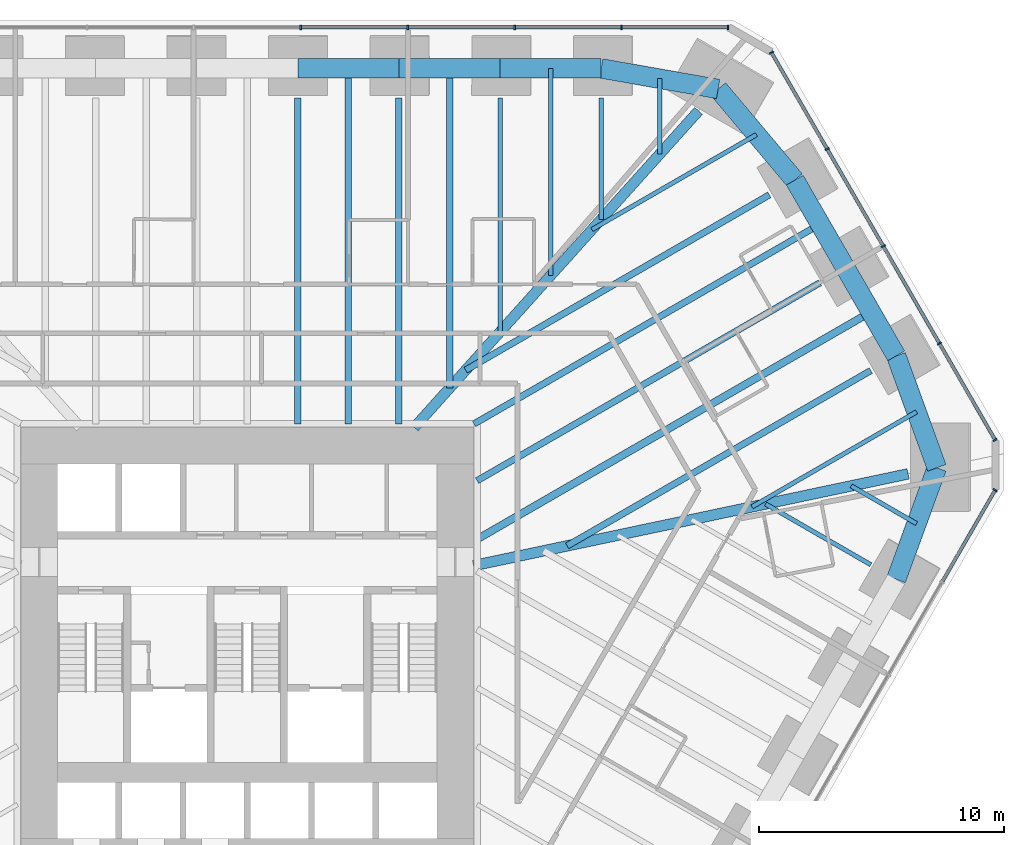
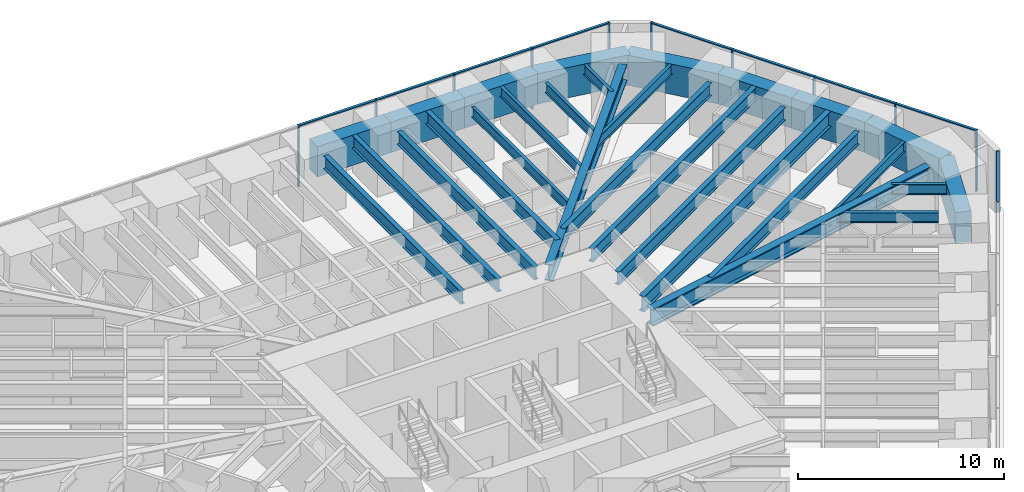
# One storey, part 9 of 17: 28 beams, 20 members, 3 elements without a shape of their own.
"""IFC4 building model written with IfcOpenShell, lengths in metres."""

from ifc_helpers import new_model, si_unit, direction, frame, origin, origin_2d, place, context, subcontext, project, spatial, rectangle, i_section, extrude, material, material_profile, profile_set, type_object, element, aggregate, save


model = new_model("IFC4")

# Units and contexts
model_context = context("Model", 3, precision=1e-05, world=origin(), true_north=direction((0.0, 1.0)))
body_context = subcontext(model_context, "Body", "Model", "MODEL_VIEW")
ifc_project = project(units=[si_unit("LENGTHUNIT", "METRE"), si_unit("AREAUNIT", "SQUARE_METRE"), si_unit("VOLUMEUNIT", "CUBIC_METRE"), si_unit("PLANEANGLEUNIT", "RADIAN"), si_unit("MASSUNIT", "GRAM", prefix="KILO")], contexts=[model_context])

# Site, building, storey
site_placement = place(None, origin())
site = spatial("IfcSite", under=ifc_project, at=site_placement, CompositionType="ELEMENT")
building_placement = place(site_placement, origin())
building = spatial("IfcBuilding", under=site, at=building_placement, Name="Sandreach Pilgrim Tower", CompositionType="ELEMENT")
storey_placement = place(building_placement, frame((0.0, 0.0, 64.800048828125)))
storey = spatial("IfcBuildingStorey", under=building, at=storey_placement, Name="L15", CompositionType="ELEMENT", Elevation=64.800048828125)

# Curtain wall, members
ifc_material_1 = material(Name="Aluminium framed curtain wall", Category="aluminium")
curtain_wall_type = type_object("IfcCurtainWallType", Name="Hostel tower curtain wall", PredefinedType="NOTDEFINED", material=ifc_material_1)
curtain_wall_1_placement = place(storey_placement, origin())
curtain_wall_1 = element("IfcCurtainWall", 1, at=curtain_wall_1_placement, inside=storey, type_object=curtain_wall_type, Name="CW-1 L15 N", PredefinedType="NOTDEFINED")
ifc_material_2 = material(Name="Aluminium extrusion", Category="aluminium")
ifc_material_profile_1 = material_profile(ifc_material_2, rectangle(XDim=0.06494140625, YDim=0.179931640625, at=origin_2d()), Name="CW-1M 65X180")
ifc_profile_set_1 = profile_set([ifc_material_profile_1], Name="Aluminium extrusion")
member_type_1 = type_object("IfcMemberType", Name="CW-1 mullion", PredefinedType="MULLION", material=ifc_profile_set_1)
member_1_placement = place(storey_placement, frame((2.185791015625, 23.94873046875, 0.0), z_axis=(0.0, 0.0, 1.0), x_axis=(1.0, 0.0, 0.0)))
member_1 = element("IfcMember", 2, at=member_1_placement, type_object=member_type_1, Name="CW-1 mullion 6", PredefinedType="MULLION", context=body_context, shape_type="SweptSolid", body=[
    extrude(rectangle(XDim=0.06494140625, YDim=0.179931640625, at=origin_2d()), origin(), (0.0, 0.0, 1.0), 3.639892578125),
])
member_2_placement = place(storey_placement, frame((6.557373046875, 23.94873046875, 0.0), z_axis=(0.0, 0.0, 1.0), x_axis=(1.0, 0.0, 0.0)))
member_2 = element("IfcMember", 3, at=member_2_placement, type_object=member_type_1, Name="CW-1 mullion 7", PredefinedType="MULLION", context=body_context, shape_type="SweptSolid", body=[
    extrude(rectangle(XDim=0.06494140625, YDim=0.179931640625, at=origin_2d()), origin(), (0.0, 0.0, 1.0), 3.639892578125),
])
member_3_placement = place(storey_placement, frame((10.928955078125, 23.94873046875, 0.0), z_axis=(0.0, 0.0, 1.0), x_axis=(1.0, 0.0, 0.0)))
member_3 = element("IfcMember", 4, at=member_3_placement, type_object=member_type_1, Name="CW-1 mullion 8", PredefinedType="MULLION", context=body_context, shape_type="SweptSolid", body=[
    extrude(rectangle(XDim=0.06494140625, YDim=0.179931640625, at=origin_2d()), origin(), (0.0, 0.0, 1.0), 3.639892578125),
])
member_4_placement = place(storey_placement, frame((15.300537109375, 23.94873046875, 0.0), z_axis=(0.0, 0.0, 1.0), x_axis=(1.0, 0.0, 0.0)))
member_4 = element("IfcMember", 5, at=member_4_placement, type_object=member_type_1, Name="CW-1 mullion 9", PredefinedType="MULLION", context=body_context, shape_type="SweptSolid", body=[
    extrude(rectangle(XDim=0.06494140625, YDim=0.179931640625, at=origin_2d()), origin(), (0.0, 0.0, 1.0), 3.639892578125),
])
member_5_placement = place(storey_placement, frame((19.6396484375, 23.94873046875, 0.0), z_axis=(0.0, 0.0, 1.0), x_axis=(1.0, 0.0, 0.0)))
member_5 = element("IfcMember", 6, at=member_5_placement, type_object=member_type_1, Name="CW-1 mullion 10", PredefinedType="MULLION", context=body_context, shape_type="SweptSolid", body=[
    extrude(rectangle(XDim=0.06494140625, YDim=0.179931640625, at=origin_2d()), origin(), (0.0, 0.0, 1.0), 3.639892578125),
])

curtain_wall_2_placement = place(storey_placement, origin())
curtain_wall_2 = element("IfcCurtainWall", 7, at=curtain_wall_2_placement, inside=storey, type_object=curtain_wall_type, Name="CW-1 L15 NE", PredefinedType="NOTDEFINED")
member_6_placement = place(storey_placement, frame((21.42041015625, 22.920654296875, 0.0), z_axis=(0.0, 0.0, 1.0), x_axis=(0.5, -0.866025403784, 0.0)))
member_6 = element("IfcMember", 8, at=member_6_placement, type_object=member_type_1, Name="CW-1 mullion 1", PredefinedType="MULLION", context=body_context, shape_type="SweptSolid", body=[
    extrude(rectangle(XDim=0.06494140625, YDim=0.179931640625, at=origin_2d()), origin(), (0.0, 0.0, 1.0), 3.639892578125),
])
member_7_placement = place(storey_placement, frame((23.697265625, 18.97705078125, 0.0), z_axis=(0.0, 0.0, 1.0), x_axis=(0.5, -0.866025403784, 0.0)))
member_7 = element("IfcMember", 9, at=member_7_placement, type_object=member_type_1, Name="CW-1 mullion 2", PredefinedType="MULLION", context=body_context, shape_type="SweptSolid", body=[
    extrude(rectangle(XDim=0.06494140625, YDim=0.179931640625, at=origin_2d()), origin(), (0.0, 0.0, 1.0), 3.639892578125),
])
member_8_placement = place(storey_placement, frame((25.990234375, 15.00537109375, 0.0), z_axis=(0.0, 0.0, 1.0), x_axis=(0.5, -0.866025403784, 0.0)))
member_8 = element("IfcMember", 10, at=member_8_placement, type_object=member_type_1, Name="CW-1 mullion 3", PredefinedType="MULLION", context=body_context, shape_type="SweptSolid", body=[
    extrude(rectangle(XDim=0.06494140625, YDim=0.179931640625, at=origin_2d()), origin(), (0.0, 0.0, 1.0), 3.639892578125),
])
member_9_placement = place(storey_placement, frame((28.283203125, 11.03369140625, 0.0), z_axis=(0.0, 0.0, 1.0), x_axis=(0.5, -0.866025403784, 0.0)))
member_9 = element("IfcMember", 11, at=member_9_placement, type_object=member_type_1, Name="CW-1 mullion 4", PredefinedType="MULLION", context=body_context, shape_type="SweptSolid", body=[
    extrude(rectangle(XDim=0.06494140625, YDim=0.179931640625, at=origin_2d()), origin(), (0.0, 0.0, 1.0), 3.639892578125),
])
member_10_placement = place(storey_placement, frame((30.56005859375, 7.09033203125, 0.0), z_axis=(0.0, 0.0, 1.0), x_axis=(0.5, -0.866025403784, 0.0)))
member_10 = element("IfcMember", 12, at=member_10_placement, type_object=member_type_1, Name="CW-1 mullion 5", PredefinedType="MULLION", context=body_context, shape_type="SweptSolid", body=[
    extrude(rectangle(XDim=0.06494140625, YDim=0.179931640625, at=origin_2d()), origin(), (0.0, 0.0, 1.0), 3.639892578125),
])

# Curtain wall, member
curtain_wall_3_placement = place(storey_placement, origin())
curtain_wall_3 = element("IfcCurtainWall", 13, at=curtain_wall_3_placement, inside=storey, type_object=curtain_wall_type, Name="CW-1 L15 SE", PredefinedType="NOTDEFINED")
member_11_placement = place(storey_placement, frame((30.56005859375, 5.033935546875, 0.0), z_axis=(0.0, 0.0, 1.0), x_axis=(-0.5, -0.866025403784, 0.0)))
member_11 = element("IfcMember", 14, at=member_11_placement, type_object=member_type_1, Name="CW-1 mullion 1", PredefinedType="MULLION", context=body_context, shape_type="SweptSolid", body=[
    extrude(rectangle(XDim=0.06494140625, YDim=0.179931640625, at=origin_2d()), origin(), (0.0, 0.0, 1.0), 3.639892578125),
])

# Member
ifc_material_3 = material(Name="Aluminium extrusion", Category="aluminium")
ifc_material_profile_2 = material_profile(ifc_material_3, rectangle(XDim=0.139892578125, YDim=0.070068359375, at=origin_2d()), Name="CW-1T 140X70")
ifc_profile_set_2 = profile_set([ifc_material_profile_2], Name="Aluminium extrusion")
member_type_2 = type_object("IfcMemberType", Name="CW-1 transom", PredefinedType="USERDEFINED", material=ifc_profile_set_2)
member_12_placement = place(storey_placement, frame((2.21826171875, 23.94873046875, 3.60498046875), z_axis=(1.0, 0.0, 0.0), x_axis=(0.0, 1.0, 0.0)))
member_12 = element("IfcMember", 15, at=member_12_placement, type_object=member_type_2, Name="CW-1 head transom 6", ObjectType="TRANSOM", PredefinedType="USERDEFINED", context=body_context, shape_type="SweptSolid", body=[
    extrude(rectangle(XDim=0.139892578125, YDim=0.070068359375, at=origin_2d()), origin(), (0.0, 0.0, 1.0), 4.306640625),
])

member_13_placement = place(storey_placement, frame((6.58984375, 23.94873046875, 3.60498046875), z_axis=(1.0, 0.0, 0.0), x_axis=(0.0, 1.0, 0.0)))
member_13 = element("IfcMember", 16, at=member_13_placement, type_object=member_type_2, Name="CW-1 head transom 7", ObjectType="TRANSOM", PredefinedType="USERDEFINED", context=body_context, shape_type="SweptSolid", body=[
    extrude(rectangle(XDim=0.139892578125, YDim=0.070068359375, at=origin_2d()), origin(), (0.0, 0.0, 1.0), 4.306640625),
])

member_14_placement = place(storey_placement, frame((10.96142578125, 23.94873046875, 3.60498046875), z_axis=(1.0, 0.0, 0.0), x_axis=(0.0, 1.0, 0.0)))
member_14 = element("IfcMember", 17, at=member_14_placement, type_object=member_type_2, Name="CW-1 head transom 8", ObjectType="TRANSOM", PredefinedType="USERDEFINED", context=body_context, shape_type="SweptSolid", body=[
    extrude(rectangle(XDim=0.139892578125, YDim=0.070068359375, at=origin_2d()), origin(), (0.0, 0.0, 1.0), 4.306640625),
])

member_15_placement = place(storey_placement, frame((15.3330078125, 23.94873046875, 3.60498046875), z_axis=(1.0, 0.0, 0.0), x_axis=(0.0, 1.0, 0.0)))
member_15 = element("IfcMember", 18, at=member_15_placement, type_object=member_type_2, Name="CW-1 head transom 9", ObjectType="TRANSOM", PredefinedType="USERDEFINED", context=body_context, shape_type="SweptSolid", body=[
    extrude(rectangle(XDim=0.139892578125, YDim=0.070068359375, at=origin_2d()), origin(), (0.0, 0.0, 1.0), 4.274169921875),
])

aggregate(curtain_wall_1, [member_1, member_2, member_3, member_4, member_5, member_12, member_13, member_14, member_15])

member_16_placement = place(storey_placement, frame((21.4365234375, 22.892333984375, 3.60498046875), z_axis=(0.500017500808, -0.866015299452, 0.0), x_axis=(0.866015299452, 0.500017500808, 0.0)))
member_16 = element("IfcMember", 19, at=member_16_placement, type_object=member_type_2, Name="CW-1 head transom 1", ObjectType="TRANSOM", PredefinedType="USERDEFINED", context=body_context, shape_type="SweptSolid", body=[
    extrude(rectangle(XDim=0.139892578125, YDim=0.070068359375, at=origin_2d()), origin(), (0.0, 0.0, 1.0), 4.488525390625),
])

member_17_placement = place(storey_placement, frame((23.71337890625, 18.948974609375, 3.60498046875), z_axis=(0.500001366228, -0.866024614991, 0.0), x_axis=(0.866024614991, 0.500001366228, 0.0)))
member_17 = element("IfcMember", 20, at=member_17_placement, type_object=member_type_2, Name="CW-1 head transom 2", ObjectType="TRANSOM", PredefinedType="USERDEFINED", context=body_context, shape_type="SweptSolid", body=[
    extrude(rectangle(XDim=0.139892578125, YDim=0.070068359375, at=origin_2d()), origin(), (0.0, 0.0, 1.0), 4.52099609375),
])

member_18_placement = place(storey_placement, frame((26.00634765625, 14.977294921875, 3.60498046875), z_axis=(0.500001366228, -0.866024614991, 0.0), x_axis=(0.866024614991, 0.500001366228, 0.0)))
member_18 = element("IfcMember", 21, at=member_18_placement, type_object=member_type_2, Name="CW-1 head transom 3", ObjectType="TRANSOM", PredefinedType="USERDEFINED", context=body_context, shape_type="SweptSolid", body=[
    extrude(rectangle(XDim=0.139892578125, YDim=0.070068359375, at=origin_2d()), origin(), (0.0, 0.0, 1.0), 4.52099609375),
])

member_19_placement = place(storey_placement, frame((28.299560546875, 11.005615234375, 3.60498046875), z_axis=(0.499976706761, -0.866038851724, 0.0), x_axis=(0.866038851724, 0.499976706761, 0.0)))
member_19 = element("IfcMember", 22, at=member_19_placement, type_object=member_type_2, Name="CW-1 head transom 4", ObjectType="TRANSOM", PredefinedType="USERDEFINED", context=body_context, shape_type="SweptSolid", body=[
    extrude(rectangle(XDim=0.139892578125, YDim=0.070068359375, at=origin_2d()), origin(), (0.0, 0.0, 1.0), 4.488525390625),
])

aggregate(curtain_wall_2, [member_6, member_7, member_8, member_9, member_10, member_16, member_17, member_18, member_19])

member_20_placement = place(storey_placement, frame((30.543701171875, 5.005859375, 3.60498046875), z_axis=(-0.499991113271, -0.866030534479, 0.0), x_axis=(0.866030534479, -0.499991113271, 0.0)))
member_20 = element("IfcMember", 23, at=member_20_placement, type_object=member_type_2, Name="CW-1 head transom 1", ObjectType="TRANSOM", PredefinedType="USERDEFINED", context=body_context, shape_type="SweptSolid", body=[
    extrude(rectangle(XDim=0.139892578125, YDim=0.070068359375, at=origin_2d()), origin(), (0.0, 0.0, 1.0), 4.27392578125),
])

aggregate(curtain_wall_3, [member_11, member_20])

# Beams
ifc_material_4 = material(Name="Steel ASTM A992 Grade 50", Category="steel")
ifc_material_profile_3 = material_profile(ifc_material_4, i_section(OverallWidth=0.4267578125, OverallDepth=0.975341796875, WebThickness=0.031005859375, FlangeThickness=0.055908203125, at=origin_2d()), Name="W36X395")
ifc_profile_set_3 = profile_set([ifc_material_profile_3], Name="Steel ASTM A992 Grade 50")
beam_type_1 = type_object("IfcBeamType", Name="Corner girder W36X395", PredefinedType="BEAM", material=ifc_profile_set_3)
beam_1_placement = place(storey_placement, frame((18.43994140625, 20.53564453125, 3.15234375), z_axis=(-0.668129498708, -0.744045007346, 0.0), x_axis=(0.744045007346, -0.668129498708, 0.0)))
element("IfcBeam", 24, at=beam_1_placement, inside=storey, type_object=beam_type_1, Name="BM L15 CG09", PredefinedType="BEAM", context=body_context, shape_type="SweptSolid", body=[
    extrude(i_section(OverallWidth=0.4267578125, OverallDepth=0.975341796875, WebThickness=0.031005859375, FlangeThickness=0.055908203125, at=origin_2d()), origin(), (0.0, 0.0, 1.0), 17.385498046875),
])
ifc_material_5 = material(Name="Steel ASTM A992 Grade 50", Category="steel")
ifc_material_profile_4 = material_profile(ifc_material_5, i_section(OverallWidth=0.434326171875, OverallDepth=0.998291015625, WebThickness=0.0380859375, FlangeThickness=0.068115234375, at=origin_2d()), Name="W36X487")
ifc_profile_set_4 = profile_set([ifc_material_profile_4], Name="Steel ASTM A992 Grade 50")
beam_type_2 = type_object("IfcBeamType", Name="Corner girder W36X487", PredefinedType="BEAM", material=ifc_profile_set_4)
beam_2_placement = place(storey_placement, frame((27.00439453125, 5.701416015625, 3.140869140625), z_axis=(-0.978429993727, -0.206578671154, 0.0), x_axis=(0.206578671154, -0.978429993727, 0.0)))
element("IfcBeam", 25, at=beam_2_placement, inside=storey, type_object=beam_type_2, Name="BM L15 CG13", PredefinedType="BEAM", context=body_context, shape_type="SweptSolid", body=[
    extrude(i_section(OverallWidth=0.434326171875, OverallDepth=0.998291015625, WebThickness=0.0380859375, FlangeThickness=0.068115234375, at=origin_2d()), origin(), (0.0, 0.0, 1.0), 18.145751953125),
])
ifc_material_6 = material(Name="Steel ASTM A992 Grade 50", Category="steel")
ifc_material_profile_5 = material_profile(ifc_material_6, i_section(OverallWidth=0.1787109375, OverallDepth=0.60205078125, WebThickness=0.010986328125, FlangeThickness=0.014892578125, at=origin_2d()), Name="W24X62")
ifc_profile_set_5 = profile_set([ifc_material_profile_5], Name="Steel ASTM A992 Grade 50")
beam_type_3 = type_object("IfcBeamType", Name="Floor beam W24X62", PredefinedType="BEAM", material=ifc_profile_set_5)
beam_3_placement = place(storey_placement, frame((10.33056640625, 21.06982421875, 3.3388671875), z_axis=(0.0, -1.0, 0.0), x_axis=(1.0, 0.0, 0.0)))
element("IfcBeam", 26, at=beam_3_placement, inside=storey, type_object=beam_type_3, Name="BM L15 F07", PredefinedType="BEAM", context=body_context, shape_type="SweptSolid", body=[
    extrude(i_section(OverallWidth=0.1787109375, OverallDepth=0.60205078125, WebThickness=0.010986328125, FlangeThickness=0.014892578125, at=origin_2d()), origin(), (0.0, 0.0, 1.0), 9.565185546875),
])
for number, where, z_axis, x_axis, name in (
    (27, (14.462646484375, 21.06982421875, 3.3388671875), (0.0, -1.0, 0.0), (1.0, 0.0, 0.0), "BM L15 F08"),
    (28, (25.478515625, 1.990234375, 3.3388671875), (-0.866055352781, 0.499948123228, 0.0), (-0.499948123228, -0.866055352781, 0.0), "BM L15 F14"),
):
    element("IfcBeam", number, at=place(storey_placement, frame(where, z_axis=z_axis, x_axis=x_axis)), inside=storey, type_object=beam_type_3, Name=name, PredefinedType="BEAM", context=body_context, shape_type="SweptSolid", body=[
        extrude(i_section(OverallWidth=0.1787109375, OverallDepth=0.60205078125, WebThickness=0.010986328125, FlangeThickness=0.014892578125, at=origin_2d()), origin(), (0.0, 0.0, 1.0), 4.96337890625),
    ])
beam_4_placement = place(storey_placement, frame((12.396484375, 22.269775390625, 3.3388671875), z_axis=(0.0, -1.0, 0.0), x_axis=(1.0, 0.0, 0.0)))
element("IfcBeam", 29, at=beam_4_placement, inside=storey, type_object=beam_type_3, Name="BM L15 FM07", PredefinedType="BEAM", context=body_context, shape_type="SweptSolid", body=[
    extrude(i_section(OverallWidth=0.1787109375, OverallDepth=0.60205078125, WebThickness=0.010986328125, FlangeThickness=0.014892578125, at=origin_2d()), origin(), (0.0, 0.0, 1.0), 8.464111328125),
])
beam_5_placement = place(storey_placement, frame((16.85205078125, 21.849365234375, 3.3388671875), z_axis=(0.0, -1.0, 0.0), x_axis=(1.0, 0.0, 0.0)))
element("IfcBeam", 30, at=beam_5_placement, inside=storey, type_object=beam_type_3, Name="BM L15 FM08", PredefinedType="BEAM", context=body_context, shape_type="SweptSolid", body=[
    extrude(i_section(OverallWidth=0.1787109375, OverallDepth=0.60205078125, WebThickness=0.010986328125, FlangeThickness=0.014892578125, at=origin_2d()), origin(), (0.0, 0.0, 1.0), 3.081787109375),
])
beam_6_placement = place(storey_placement, frame((20.80712890625, 19.566162109375, 3.3388671875), z_axis=(-0.866014870135, -0.500018244372, 0.0), x_axis=(0.500018244372, -0.866014870135, 0.0)))
element("IfcBeam", 31, at=beam_6_placement, inside=storey, type_object=beam_type_3, Name="BM L15 FM09", PredefinedType="BEAM", context=body_context, shape_type="SweptSolid", body=[
    extrude(i_section(OverallWidth=0.1787109375, OverallDepth=0.60205078125, WebThickness=0.010986328125, FlangeThickness=0.014892578125, at=origin_2d()), origin(), (0.0, 0.0, 1.0), 7.763916015625),
])
beam_7_placement = place(storey_placement, frame((27.348388671875, 8.236572265625, 3.3388671875), z_axis=(-0.866022731815, -0.500004627958, 0.0), x_axis=(0.500004627958, -0.866022731815, 0.0)))
element("IfcBeam", 32, at=beam_7_placement, inside=storey, type_object=beam_type_3, Name="BM L15 FM12", PredefinedType="BEAM", context=body_context, shape_type="SweptSolid", body=[
    extrude(i_section(OverallWidth=0.1787109375, OverallDepth=0.60205078125, WebThickness=0.010986328125, FlangeThickness=0.014892578125, at=origin_2d()), origin(), (0.0, 0.0, 1.0), 7.76416015625),
])
beam_8_placement = place(storey_placement, frame((27.34814453125, 3.669677734375, 3.3388671875), z_axis=(-0.866011447264, 0.500024172624, 0.0), x_axis=(-0.500024172624, -0.866011447264, 0.0)))
element("IfcBeam", 33, at=beam_8_placement, inside=storey, type_object=beam_type_3, Name="BM L15 FM13", PredefinedType="BEAM", context=body_context, shape_type="SweptSolid", body=[
    extrude(i_section(OverallWidth=0.1787109375, OverallDepth=0.60205078125, WebThickness=0.010986328125, FlangeThickness=0.014892578125, at=origin_2d()), origin(), (0.0, 0.0, 1.0), 3.081787109375),
])
ifc_material_7 = material(Name="Steel ASTM A992 Grade 50", Category="steel")
ifc_material_profile_6 = material_profile(ifc_material_7, i_section(OverallWidth=0.2666015625, OverallDepth=0.761962890625, WebThickness=0.014404296875, FlangeThickness=0.021484375, at=origin_2d()), Name="W30X116")
ifc_profile_set_6 = profile_set([ifc_material_profile_6], Name="Steel ASTM A992 Grade 50")
beam_type_4 = type_object("IfcBeamType", Name="Floor beam W30X116", PredefinedType="BEAM", material=ifc_profile_set_6)
for number, where, z_axis, x_axis, name in (
    (34, (2.066162109375, 21.06982421875, 3.259033203125), (0.0, -1.0, 0.0), (1.0, 0.0, 0.0), "BM L15 F05"),
    (35, (6.1982421875, 21.06982421875, 3.259033203125), (0.0, -1.0, 0.0), (1.0, 0.0, 0.0), "BM L15 F06"),
):
    element("IfcBeam", number, at=place(storey_placement, frame(where, z_axis=z_axis, x_axis=x_axis)), inside=storey, type_object=beam_type_4, Name=name, PredefinedType="BEAM", context=body_context, shape_type="SweptSolid", body=[
        extrude(i_section(OverallWidth=0.2666015625, OverallDepth=0.761962890625, WebThickness=0.014404296875, FlangeThickness=0.021484375, at=origin_2d()), origin(), (0.0, 0.0, 1.0), 13.326416015625),
    ])
beam_9_placement = place(storey_placement, frame((21.333740234375, 17.103759765625, 3.259033203125), z_axis=(-0.866024130529, -0.500002205337, 0.0), x_axis=(0.500002205337, -0.866024130529, 0.0)))
element("IfcBeam", 36, at=beam_9_placement, inside=storey, type_object=beam_type_4, Name="BM L15 F10", PredefinedType="BEAM", context=body_context, shape_type="SweptSolid", body=[
    extrude(i_section(OverallWidth=0.2666015625, OverallDepth=0.761962890625, WebThickness=0.014404296875, FlangeThickness=0.021484375, at=origin_2d()), origin(), (0.0, 0.0, 1.0), 14.328125),
])
beam_10_placement = place(storey_placement, frame((25.47900390625, 9.923583984375, 3.259033203125), z_axis=(-0.866027248983, -0.499996804008, 0.0), x_axis=(0.499996804008, -0.866027248983, 0.0)))
element("IfcBeam", 37, at=beam_10_placement, inside=storey, type_object=beam_type_4, Name="BM L15 F12", PredefinedType="BEAM", context=body_context, shape_type="SweptSolid", body=[
    extrude(i_section(OverallWidth=0.2666015625, OverallDepth=0.761962890625, WebThickness=0.014404296875, FlangeThickness=0.021484375, at=origin_2d()), origin(), (0.0, 0.0, 1.0), 14.32763671875),
])
beam_11_placement = place(storey_placement, frame((4.132080078125, 22.269775390625, 3.259033203125), z_axis=(0.0, -1.0, 0.0), x_axis=(1.0, 0.0, 0.0)))
element("IfcBeam", 38, at=beam_11_placement, inside=storey, type_object=beam_type_4, Name="BM L15 FM05", PredefinedType="BEAM", context=body_context, shape_type="SweptSolid", body=[
    extrude(i_section(OverallWidth=0.2666015625, OverallDepth=0.761962890625, WebThickness=0.014404296875, FlangeThickness=0.021484375, at=origin_2d()), origin(), (0.0, 0.0, 1.0), 14.5263671875),
])
beam_12_placement = place(storey_placement, frame((8.264404296875, 22.269775390625, 3.259033203125), z_axis=(0.0, -1.0, 0.0), x_axis=(1.0, 0.0, 0.0)))
element("IfcBeam", 39, at=beam_12_placement, inside=storey, type_object=beam_type_4, Name="BM L15 FM06", PredefinedType="BEAM", context=body_context, shape_type="SweptSolid", body=[
    extrude(i_section(OverallWidth=0.2666015625, OverallDepth=0.761962890625, WebThickness=0.014404296875, FlangeThickness=0.021484375, at=origin_2d()), origin(), (0.0, 0.0, 1.0), 13.06591796875),
])
ifc_material_8 = material(Name="Steel ASTM A992 Grade 50", Category="steel")
ifc_material_profile_7 = material_profile(ifc_material_8, i_section(OverallWidth=0.2666015625, OverallDepth=0.77978515625, WebThickness=0.0166015625, FlangeThickness=0.030029296875, at=origin_2d()), Name="W30X148")
ifc_profile_set_7 = profile_set([ifc_material_profile_7], Name="Steel ASTM A992 Grade 50")
beam_type_5 = type_object("IfcBeamType", Name="Floor beam W30X148", PredefinedType="BEAM", material=ifc_profile_set_7)
beam_13_placement = place(storey_placement, frame((23.40625, 13.513671875, 3.25), z_axis=(-0.866026536687, -0.49999803775, 0.0), x_axis=(0.49999803775, -0.866026536687, 0.0)))
element("IfcBeam", 40, at=beam_13_placement, inside=storey, type_object=beam_type_5, Name="BM L15 F11", PredefinedType="BEAM", context=body_context, shape_type="SweptSolid", body=[
    extrude(i_section(OverallWidth=0.2666015625, OverallDepth=0.77978515625, WebThickness=0.0166015625, FlangeThickness=0.030029296875, at=origin_2d()), origin(), (0.0, 0.0, 1.0), 16.1806640625),
])
beam_14_placement = place(storey_placement, frame((23.4091796875, 15.90869140625, 3.25), z_axis=(-0.866027499519, -0.499996370064, 0.0), x_axis=(0.499996370064, -0.866027499519, 0.0)))
element("IfcBeam", 41, at=beam_14_placement, inside=storey, type_object=beam_type_5, Name="BM L15 FM10", PredefinedType="BEAM", context=body_context, shape_type="SweptSolid", body=[
    extrude(i_section(OverallWidth=0.2666015625, OverallDepth=0.77978515625, WebThickness=0.0166015625, FlangeThickness=0.030029296875, at=origin_2d()), origin(), (0.0, 0.0, 1.0), 16.33056640625),
])
ifc_material_9 = material(Name="Steel ASTM A992 Grade 50", Category="steel")
ifc_material_profile_8 = material_profile(ifc_material_9, i_section(OverallWidth=0.3046875, OverallDepth=0.914306640625, WebThickness=0.0166015625, FlangeThickness=0.02587890625, at=origin_2d()), Name="W36X160")
ifc_profile_set_8 = profile_set([ifc_material_profile_8], Name="Steel ASTM A992 Grade 50")
beam_type_6 = type_object("IfcBeamType", Name="Floor beam W36X160", PredefinedType="BEAM", material=ifc_profile_set_8)
beam_15_placement = place(storey_placement, frame((25.48193359375, 12.318603515625, 3.182861328125), z_axis=(-0.866024296347, -0.500001918134, 0.0), x_axis=(0.500001918134, -0.866024296347, 0.0)))
element("IfcBeam", 42, at=beam_15_placement, inside=storey, type_object=beam_type_6, Name="BM L15 FM11", PredefinedType="BEAM", context=body_context, shape_type="SweptSolid", body=[
    extrude(i_section(OverallWidth=0.3046875, OverallDepth=0.914306640625, WebThickness=0.0166015625, FlangeThickness=0.02587890625, at=origin_2d()), origin(), (0.0, 0.0, 1.0), 18.57763671875),
])
ifc_material_10 = material(Name="Concrete 10000 psi", Category="concrete")
ifc_material_profile_9 = material_profile(ifc_material_10, rectangle(XDim=0.800048828125, YDim=1.800048828125, at=origin_2d()), Name="RC800X1800")
ifc_profile_set_9 = profile_set([ifc_material_profile_9], Name="Concrete 10000 psi")
beam_type_7 = type_object("IfcBeamType", Name="Spandrel beam RC800X1800", PredefinedType="SPANDREL", material=ifc_profile_set_9)
beam_16_placement = place(storey_placement, frame((2.066162109375, 22.269775390625, 2.739990234375), z_axis=(1.0, 0.0, 0.0), x_axis=(0.0, 1.0, 0.0)))
element("IfcBeam", 43, at=beam_16_placement, inside=storey, type_object=beam_type_7, Name="BM L15 SP05", PredefinedType="SPANDREL", context=body_context, shape_type="SweptSolid", body=[
    extrude(rectangle(XDim=0.800048828125, YDim=1.800048828125, at=origin_2d()), origin(), (0.0, 0.0, 1.0), 4.132080078125),
])
beam_17_placement = place(storey_placement, frame((6.1982421875, 22.269775390625, 2.739990234375), z_axis=(1.0, 0.0, 0.0), x_axis=(0.0, 1.0, 0.0)))
element("IfcBeam", 44, at=beam_17_placement, inside=storey, type_object=beam_type_7, Name="BM L15 SP06", PredefinedType="SPANDREL", context=body_context, shape_type="SweptSolid", body=[
    extrude(rectangle(XDim=0.800048828125, YDim=1.800048828125, at=origin_2d()), origin(), (0.0, 0.0, 1.0), 4.13232421875),
])
beam_18_placement = place(storey_placement, frame((10.33056640625, 22.269775390625, 2.739990234375), z_axis=(1.0, 0.0, 0.0), x_axis=(0.0, 1.0, 0.0)))
element("IfcBeam", 45, at=beam_18_placement, inside=storey, type_object=beam_type_7, Name="BM L15 SP07", PredefinedType="SPANDREL", context=body_context, shape_type="SweptSolid", body=[
    extrude(rectangle(XDim=0.800048828125, YDim=1.800048828125, at=origin_2d()), origin(), (0.0, 0.0, 1.0), 4.132080078125),
])
beam_19_placement = place(storey_placement, frame((14.462646484375, 22.269775390625, 2.739990234375), z_axis=(0.984864491791, -0.173326088083, 0.0), x_axis=(0.173326088083, 0.984864491791, 0.0)))
element("IfcBeam", 46, at=beam_19_placement, inside=storey, type_object=beam_type_7, Name="BM L15 SP08", PredefinedType="SPANDREL", context=body_context, shape_type="SweptSolid", body=[
    extrude(rectangle(XDim=0.800048828125, YDim=1.800048828125, at=origin_2d()), origin(), (0.0, 0.0, 1.0), 4.8525390625),
])
beam_20_placement = place(storey_placement, frame((19.24169921875, 21.4287109375, 2.739990234375), z_axis=(0.643435611027, -0.765500238055, 0.0), x_axis=(0.765500238055, 0.643435611027, 0.0)))
element("IfcBeam", 47, at=beam_20_placement, inside=storey, type_object=beam_type_7, Name="BM L15 SP09", PredefinedType="SPANDREL", context=body_context, shape_type="SweptSolid", body=[
    extrude(rectangle(XDim=0.800048828125, YDim=1.800048828125, at=origin_2d()), origin(), (0.0, 0.0, 1.0), 4.8662109375),
])
beam_21_placement = place(storey_placement, frame((22.372802734375, 17.70361328125, 2.739990234375), z_axis=(0.500028342409, -0.866009039668, 0.0), x_axis=(0.866009039668, 0.500028342409, 0.0)))
element("IfcBeam", 48, at=beam_21_placement, inside=storey, type_object=beam_type_7, Name="BM L15 SP10", PredefinedType="SPANDREL", context=body_context, shape_type="SweptSolid", body=[
    extrude(rectangle(XDim=0.800048828125, YDim=1.800048828125, at=origin_2d()), origin(), (0.0, 0.0, 1.0), 4.145263671875),
])
beam_22_placement = place(storey_placement, frame((24.445556640625, 14.11376953125, 2.739990234375), z_axis=(0.500002839747, -0.86602376425, 0.0), x_axis=(0.86602376425, 0.500002839747, 0.0)))
element("IfcBeam", 49, at=beam_22_placement, inside=storey, type_object=beam_type_7, Name="BM L15 SP11", PredefinedType="SPANDREL", context=body_context, shape_type="SweptSolid", body=[
    extrude(rectangle(XDim=0.800048828125, YDim=1.800048828125, at=origin_2d()), origin(), (0.0, 0.0, 1.0), 4.1455078125),
])
beam_23_placement = place(storey_placement, frame((26.518310546875, 10.523681640625, 2.739990234375), z_axis=(0.341162918486, -0.940004182464, 0.0), x_axis=(0.940004182464, 0.341162918486, 0.0)))
element("IfcBeam", 50, at=beam_23_placement, inside=storey, type_object=beam_type_7, Name="BM L15 SP12", PredefinedType="SPANDREL", context=body_context, shape_type="SweptSolid", body=[
    extrude(rectangle(XDim=0.800048828125, YDim=1.800048828125, at=origin_2d()), origin(), (0.0, 0.0, 1.0), 4.8662109375),
])
beam_24_placement = place(storey_placement, frame((28.178466796875, 5.949462890625, 2.739990234375), z_axis=(-0.342280292815, -0.93959789333, 0.0), x_axis=(0.93959789333, -0.342280292815, 0.0)))
element("IfcBeam", 51, at=beam_24_placement, inside=storey, type_object=beam_type_7, Name="BM L15 SP13", PredefinedType="SPANDREL", context=body_context, shape_type="SweptSolid", body=[
    extrude(rectangle(XDim=0.800048828125, YDim=1.800048828125, at=origin_2d()), origin(), (0.0, 0.0, 1.0), 4.8525390625),
])

save(model, "model.ifc")
